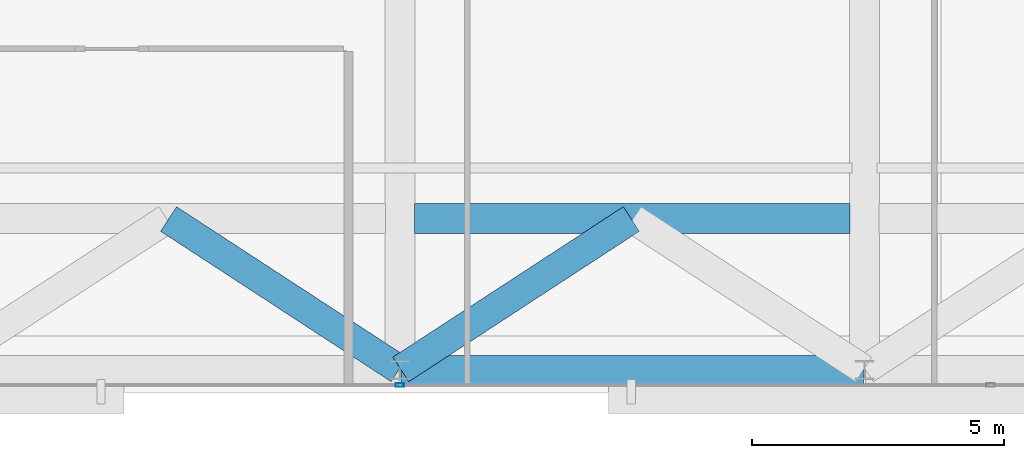
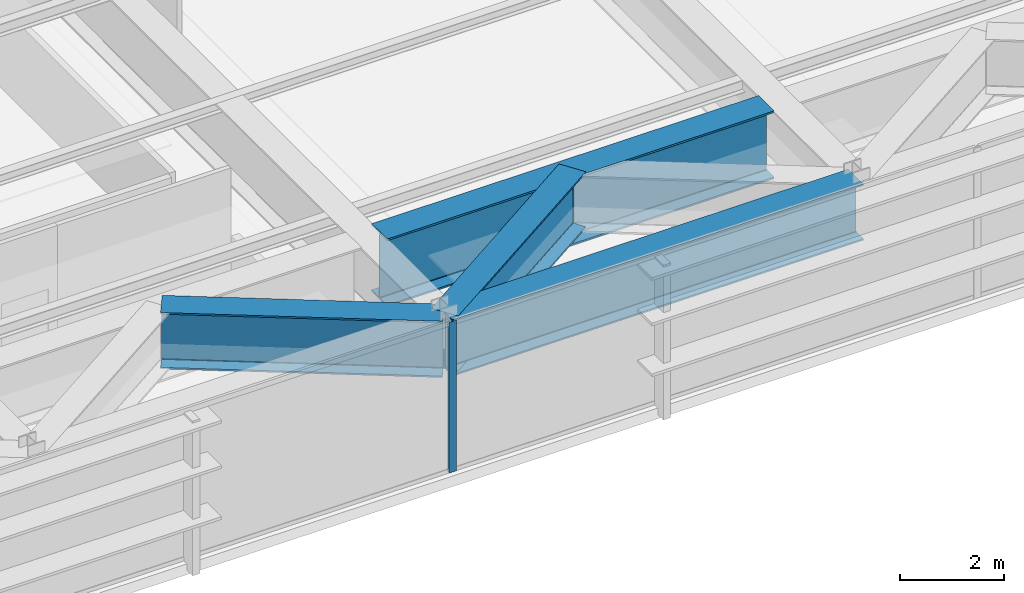
# One storey, part 9 of 26: 4 beams, 1 member, 1 element without a shape of its own.
"""IFC4 building model written with IfcOpenShell, lengths in metres."""

import ifcopenshell
import ifcopenshell.guid

model = None  # the IFC model being written
_history = None  # IfcOwnerHistory: only IFC2X3 demands one
_inside = {}  # id of a spatial element -> (the spatial element, [elements in it])
_under = {}  # id of a project, library or spatial element -> (it, [spatial elements below it])
_declared = {}  # id of a project -> (the project, [libraries it declares])
_typed = {}  # id of a type object -> (the type object, [elements of that type])
_made_of = {}  # id of a material, layer set ... -> (it, [elements and type objects made of it])


def new_model(schema):
    """Start an empty IFC model of exactly this schema.

    Asked for "IFC4X3", IfcOpenShell would pick the latest addendum, in which some entities
    have other attributes; the version numbers below select the first issue.
    IFC2X3 requires an IfcOwnerHistory on every rooted entity: one is made here for all.
    """
    global model, _history
    if schema == "IFC4X3":
        model = ifcopenshell.file(schema_version=(4, 3, 0, 0))
    else:
        model = ifcopenshell.file(schema=schema)
    _inside.clear()
    _under.clear()
    _declared.clear()
    _typed.clear()
    _made_of.clear()
    _history = None
    if model.schema == "IFC2X3":
        org = make("IfcOrganization", Name="unknown")
        user = make(
            "IfcPersonAndOrganization",
            ThePerson=make("IfcPerson", FamilyName="unknown"),
            TheOrganization=org,
        )
        app = make(
            "IfcApplication",
            ApplicationDeveloper=org,
            Version="unknown",
            ApplicationFullName="unknown",
            ApplicationIdentifier="unknown",
        )
        _history = make(
            "IfcOwnerHistory",
            OwningUser=user,
            OwningApplication=app,
            ChangeAction="ADDED",
            CreationDate=0,
        )
    return model


def make(cls, **values):
    """One entity of the class cls with the attributes given. An attribute that is None is left unset."""
    return model.create_entity(
        cls, **{name: value for name, value in values.items() if value is not None}
    )


def rooted(cls, **values):
    """An entity with a GlobalId (a new one), such as an element, a storey or a relation."""
    return make(cls, GlobalId=ifcopenshell.guid.new(), OwnerHistory=_history, **values)


def si_unit(unit_type, name, prefix=None):
    """IfcSIUnit, for example si_unit("LENGTHUNIT", "METRE", prefix="MILLI")."""
    return make("IfcSIUnit", UnitType=unit_type, Prefix=prefix, Name=name)


def assignment(units):
    """IfcUnitAssignment: the units of a project."""
    return None if units is None else make("IfcUnitAssignment", Units=units)


def point(xyz):
    """IfcCartesianPoint."""
    return None if xyz is None else make("IfcCartesianPoint", Coordinates=xyz)


def direction(xyz):
    """IfcDirection."""
    return None if xyz is None else make("IfcDirection", DirectionRatios=xyz)


def frame(location, z_axis=None, x_axis=None):
    """IfcAxis2Placement3D, a coordinate frame: its origin and axes. An axis left out is left unset."""
    return make(
        "IfcAxis2Placement3D",
        Location=point(location),
        Axis=direction(z_axis),
        RefDirection=direction(x_axis),
    )


def frame_2d(location, x_axis=None):
    """IfcAxis2Placement2D, a coordinate frame in the plane: its origin and x axis."""
    return make(
        "IfcAxis2Placement2D", Location=point(location), RefDirection=direction(x_axis)
    )


def origin():
    """The frame at (0, 0, 0) with its axes left unset."""
    return frame((0.0, 0.0, 0.0))


def origin_2d():
    """The frame at (0, 0) in the plane with its x axis left unset."""
    return frame_2d((0.0, 0.0))


def place(relative_to, where):
    """IfcLocalPlacement: puts the frame where relative to a parent placement (None: the world)."""
    return make(
        "IfcLocalPlacement", PlacementRelTo=relative_to, RelativePlacement=where
    )


def context(
    kind, dimensions, precision=None, world=None, true_north=None, identifier=None
):
    """IfcGeometricRepresentationContext, for example the 3D "Model" context."""
    return make(
        "IfcGeometricRepresentationContext",
        ContextIdentifier=identifier,
        ContextType=kind,
        CoordinateSpaceDimension=dimensions,
        Precision=precision,
        WorldCoordinateSystem=world,
        TrueNorth=true_north,
    )


def subcontext(parent, identifier, kind, view, scale=None):
    """IfcGeometricRepresentationSubContext, for example "Body" below "Model"."""
    return make(
        "IfcGeometricRepresentationSubContext",
        ContextIdentifier=identifier,
        ContextType=kind,
        ParentContext=parent,
        TargetScale=scale,
        TargetView=view,
    )


def project(units=None, contexts=None):
    """IfcProject with its units and contexts."""
    return rooted(
        "IfcProject",
        Name="project",
        RepresentationContexts=contexts,
        UnitsInContext=assignment(units),
    )


def spatial(cls, under=None, at=None, **own):
    """A site, building, storey or space (cls), placed at a placement, below another one or the project."""
    s = rooted(cls, ObjectPlacement=at, **own)
    if under is not None:
        _under.setdefault(under.id(), (under, []))[1].append(s)
    return s


def profile(cls, at=None, kind="AREA", **sizes):
    """A parametric profile (cls). Its sizes go by their IFC names, for example OverallWidth=200.0."""
    return make(cls, ProfileType=kind, Position=at, **sizes)


def hollow_rectangle(**sizes):
    """IfcRectangleHollowProfileDef."""
    return profile("IfcRectangleHollowProfileDef", **sizes)


def i_section(**sizes):
    """IfcIShapeProfileDef."""
    return profile("IfcIShapeProfileDef", **sizes)


def extrude(swept, where, along, depth):
    """IfcExtrudedAreaSolid: the profile swept, set in the frame where, extruded along a direction by depth."""
    return make(
        "IfcExtrudedAreaSolid",
        SweptArea=swept,
        Position=where,
        ExtrudedDirection=direction(along),
        Depth=depth,
    )


def shape(context_of_items, identifier, shape_type, items):
    """IfcShapeRepresentation: the items that make up one representation, for example the "Body"."""
    return make(
        "IfcShapeRepresentation",
        ContextOfItems=context_of_items,
        RepresentationIdentifier=identifier,
        RepresentationType=shape_type,
        Items=items,
    )


def source(mapping_origin, context_of_items, identifier, shape_type, items):
    """IfcRepresentationMap: a shape defined once, which mapped items show again and again."""
    return make(
        "IfcRepresentationMap",
        MappingOrigin=mapping_origin,
        MappedRepresentation=shape(context_of_items, identifier, shape_type, items),
    )


def transform(
    local_origin,
    x_axis=None,
    y_axis=None,
    z_axis=None,
    scale=None,
    scale2=None,
    scale3=None,
    uniform=True,
):
    """IfcCartesianTransformationOperator3D, or its non-uniform kind. x_axis, y_axis, z_axis: its Axis1, 2, 3."""
    if uniform:
        return make(
            "IfcCartesianTransformationOperator3D",
            Axis1=direction(x_axis),
            Axis2=direction(y_axis),
            LocalOrigin=point(local_origin),
            Scale=scale,
            Axis3=direction(z_axis),
        )
    return make(
        "IfcCartesianTransformationOperator3DnonUniform",
        Axis1=direction(x_axis),
        Axis2=direction(y_axis),
        LocalOrigin=point(local_origin),
        Scale=scale,
        Axis3=direction(z_axis),
        Scale2=scale2,
        Scale3=scale3,
    )


def mapped(mapping_source, mapping_target):
    """IfcMappedItem: shows the shape of a source again, moved by a transform."""
    return make(
        "IfcMappedItem", MappingSource=mapping_source, MappingTarget=mapping_target
    )


def material(Name=None, Category=None):
    """IfcMaterial."""
    return make("IfcMaterial", Name=Name, Category=Category)


def layer(
    of_material, thickness, ventilated=None, Name=None, Category=None, Priority=None
):
    """IfcMaterialLayer: one layer of a wall or slab, of a material (None: an air gap)."""
    return make(
        "IfcMaterialLayer",
        Material=of_material,
        LayerThickness=thickness,
        IsVentilated=ventilated,
        Name=Name,
        Category=Category,
        Priority=Priority,
    )


def layer_set(layers, Name=None):
    """IfcMaterialLayerSet."""
    return make("IfcMaterialLayerSet", MaterialLayers=layers, LayerSetName=Name)


def material_profile(
    of_material, cross_section, Name=None, Category=None, Priority=None
):
    """IfcMaterialProfile: a cross section and its material."""
    return make(
        "IfcMaterialProfile",
        Name=Name,
        Material=of_material,
        Profile=cross_section,
        Priority=Priority,
        Category=Category,
    )


def profile_set(profiles, Name=None, composite=None):
    """IfcMaterialProfileSet."""
    return make(
        "IfcMaterialProfileSet",
        Name=Name,
        MaterialProfiles=profiles,
        CompositeProfile=composite,
    )


def made_of(thing, what):
    """Note that an element or type object is made of a material, layer set ...; save() writes the relation."""
    if what is not None:
        _made_of.setdefault(what.id(), (what, []))[1].append(thing)
    return thing


def type_object(cls, material=None, **own):
    """A type object (cls), such as IfcWallType, which elements share."""
    return made_of(rooted(cls, **own), material)


def type_shapes(of_type, sources):
    """Give a type object the sources (RepresentationMaps) that its elements show as mapped items."""
    of_type.RepresentationMaps = sources


def element(
    cls,
    number,
    at=None,
    inside=None,
    cuts=None,
    type_object=None,
    material=None,
    context=None,
    identifier="Body",
    shape_type=None,
    held_by="IfcProductDefinitionShape",
    body=None,
    shapes=None,
    **own,
):
    """One element of the class cls, such as IfcWall. Its Tag is "e" and its number.

    at: its placement. inside: the storey or other place that contains it. cuts: it is an
    opening in that element (IfcRelVoidsElement). A single representation is given by context,
    identifier, shape_type and body (its items); several are given by shapes. held_by: the class
    of the entity that holds the representations. save() writes the other relations.
    """
    e = rooted(cls, Tag="e%d" % number, ObjectPlacement=at, **own)
    if body is not None:
        shapes = [shape(context, identifier, shape_type, body)]
    if shapes is not None:
        e.Representation = make(held_by, Representations=shapes)
    if inside is not None:
        _inside.setdefault(inside.id(), (inside, []))[1].append(e)
    if cuts is not None:
        rooted(
            "IfcRelVoidsElement", RelatingBuildingElement=cuts, RelatedOpeningElement=e
        )
    if type_object is not None:
        _typed.setdefault(type_object.id(), (type_object, []))[1].append(e)
    return made_of(e, material)


def aggregate(whole, parts):
    """IfcRelAggregates: a whole, such as a stair, and the parts it consists of."""
    return rooted("IfcRelAggregates", RelatingObject=whole, RelatedObjects=parts)


def save(model, path):
    """Write the relations noted so far, then the file.

    IfcRelAggregates (storeys below a building ...), IfcRelContainedInSpatialStructure (elements
    in a storey), IfcRelDefinesByType, IfcRelAssociatesMaterial and IfcRelDeclares: one each for
    every whole, place, type object, material and project.
    """
    for whole, parts in _under.values():
        aggregate(whole, parts)
    for where, things in _inside.values():
        rooted(
            "IfcRelContainedInSpatialStructure",
            RelatedElements=things,
            RelatingStructure=where,
        )
    for kind, things in _typed.values():
        rooted("IfcRelDefinesByType", RelatedObjects=things, RelatingType=kind)
    for what, things in _made_of.values():
        rooted("IfcRelAssociatesMaterial", RelatedObjects=things, RelatingMaterial=what)
    for by, libraries in _declared.values():
        rooted("IfcRelDeclares", RelatingContext=by, RelatedDefinitions=libraries)
    model.write(path)


model = new_model("IFC4")

# Units and contexts
model_context = context("Model", 3, precision=1e-05, world=origin(), true_north=direction((0.0, 1.0)))
body_context = subcontext(model_context, "Body", "Model", "MODEL_VIEW")
ifc_project = project(units=[si_unit("LENGTHUNIT", "METRE"), si_unit("AREAUNIT", "SQUARE_METRE"), si_unit("VOLUMEUNIT", "CUBIC_METRE"), si_unit("PLANEANGLEUNIT", "RADIAN"), si_unit("MASSUNIT", "GRAM", prefix="KILO")], contexts=[model_context])

# Site, building, storey
site_placement = place(None, origin())
site = spatial("IfcSite", under=ifc_project, at=site_placement, CompositionType="ELEMENT")
building_placement = place(site_placement, origin())
building = spatial("IfcBuilding", under=site, at=building_placement, Name="Varnel Quay Broadcast Tower", CompositionType="ELEMENT")
storey_placement = place(building_placement, frame((0.0, 0.0, 196.0)))
storey = spatial("IfcBuildingStorey", under=building, at=storey_placement, Name="L48", CompositionType="ELEMENT", Elevation=196.0)

# Beams
ifc_material_1 = material(Name="Structural Steel CSA G40.21 350WT", Category="steel")
ifc_material_profile_1 = material_profile(ifc_material_1, i_section(OverallWidth=0.580078125, OverallDepth=1.330078125, WebThickness=0.02197265625, FlangeThickness=0.0380859375, FilletRadius=0.02001953125, at=origin_2d()), Name="WWF1330X535")
ifc_profile_set_1 = profile_set([ifc_material_profile_1], Name="Structural Steel CSA G40.21 350WT")
beam_type_1 = type_object("IfcBeamType", Name="Girder_WWF1330X535", PredefinedType="BEAM", material=ifc_profile_set_1)
shared_shape_1 = source(origin(), body_context, "Body", "SweptSolid", [
    extrude(i_section(OverallWidth=0.580078125, OverallDepth=1.330078125, WebThickness=0.02197265625, FlangeThickness=0.0380859375, FilletRadius=0.02001953125, at=origin_2d()), origin(), (0.0, 0.0, 1.0), 9.159912109375),
])
beam_1_placement = place(storey_placement, frame((34.02001953125, 7.64990234375, 2.885009765625), z_axis=(1.0, 0.0, 0.0), x_axis=(0.0, 1.0, 0.0)))
element("IfcBeam", 1, at=beam_1_placement, inside=storey, type_object=beam_type_1, Name="L48 Perimeter Transfer Spine TC-S3-TC-S4", PredefinedType="BEAM", context=body_context, shape_type="MappedRepresentation", body=[
    mapped(shared_shape_1, transform((0.0, 0.0, 0.0), x_axis=(1.0, 0.0, 0.0), y_axis=(0.0, 1.0, 0.0), z_axis=(0.0, 0.0, 1.0), scale=1.0)),
])
ifc_material_profile_2 = material_profile(ifc_material_1, i_section(OverallWidth=0.60009765625, OverallDepth=1.60009765625, WebThickness=0.02392578125, FlangeThickness=0.0419921875, FilletRadius=0.02197265625, at=origin_2d()), Name="WWF1600X620")
ifc_profile_set_2 = profile_set([ifc_material_profile_2], Name="Structural Steel CSA G40.21 350WT")
beam_type_2 = type_object("IfcBeamType", Name="Girder_WWF1600X620", PredefinedType="BEAM", material=ifc_profile_set_2)
shared_shape_2 = source(origin(), body_context, "Body", "SweptSolid", [
    extrude(i_section(OverallWidth=0.60009765625, OverallDepth=1.60009765625, WebThickness=0.02392578125, FlangeThickness=0.0419921875, FilletRadius=0.02197265625, at=origin_2d()), origin(), (0.0, 0.0, 1.0), 8.630126953125),
])
type_shapes(beam_type_2, [shared_shape_2])
beam_2_placement = place(storey_placement, frame((34.284912109375, 10.64990234375, 2.75), z_axis=(1.0, 0.0, 0.0), x_axis=(0.0, 1.0, 0.0)))
element("IfcBeam", 2, at=beam_2_placement, inside=storey, type_object=beam_type_2, Name="L48 Setback South Transfer Header 4", PredefinedType="BEAM", context=body_context, shape_type="MappedRepresentation", body=[
    mapped(shared_shape_2, transform((0.0, 0.0, 0.0), x_axis=(1.0, 0.0, 0.0), y_axis=(0.0, 1.0, 0.0), z_axis=(0.0, 0.0, 1.0), scale=1.0)),
])
shared_shape_3 = source(origin(), body_context, "Body", "SweptSolid", [
    extrude(i_section(OverallWidth=0.580078125, OverallDepth=1.330078125, WebThickness=0.02197265625, FlangeThickness=0.0380859375, FilletRadius=0.02001953125, at=origin_2d()), origin(), (0.0, 0.0, 1.0), 5.451904296875),
])
type_shapes(beam_type_1, [shared_shape_1, shared_shape_3])
for number, where, z_axis, x_axis, name in (
    (3, (33.983154296875, 7.660888671875, 2.885009765625), (-0.837595451539, 0.546291002637, 0.0), (-0.546291002637, -0.837595451539, 0.0), "L48 Nodal Transfer Tie TC-S2-TC-S3"),
    (4, (34.016845703125, 7.660888671875, 2.885009765625), (0.837595451539, 0.546291002637, 0.0), (-0.546291002637, 0.837595451539, 0.0), "L48 Nodal Transfer Tie TC-S3-TC-S3"),
):
    element("IfcBeam", number, at=place(storey_placement, frame(where, z_axis=z_axis, x_axis=x_axis)), inside=storey, type_object=beam_type_1, Name=name, PredefinedType="BEAM", context=body_context, shape_type="MappedRepresentation", body=[
        mapped(shared_shape_3, transform((0.0, 0.0, 0.0), x_axis=(1.0, 0.0, 0.0), y_axis=(0.0, 1.0, 0.0), z_axis=(0.0, 0.0, 1.0), scale=1.0)),
    ])

# Curtain wall, member
ifc_material_2 = material(Name="Anodised Bronze Aluminium 6063-T6", Category="aluminium")
ifc_layer = layer(ifc_material_2, 0.18994140625, Name="Anodised Bronze Aluminium 6063-T6")
ifc_layer_set = layer_set([ifc_layer], Name="Anodised Bronze Aluminium 6063-T6")
curtain_wall_type = type_object("IfcCurtainWallType", Name="CW_UpperTower", PredefinedType="NOTDEFINED", material=ifc_layer_set)
curtain_wall_placement = place(storey_placement, origin())
curtain_wall = element("IfcCurtainWall", 5, at=curtain_wall_placement, inside=storey, type_object=curtain_wall_type, Name="L48 South Unitised Curtain Wall 1", PredefinedType="NOTDEFINED")
ifc_material_profile_3 = material_profile(ifc_material_2, hollow_rectangle(XDim=0.06494140625, YDim=0.1650390625, WallThickness=0.00341796875, at=origin_2d()), Name="ALU65X165X3.5")
ifc_profile_set_3 = profile_set([ifc_material_profile_3], Name="Anodised Bronze Aluminium 6063-T6")
member_type = type_object("IfcMemberType", Name="Mull_CWS-03", PredefinedType="MULLION", material=ifc_profile_set_3)
shared_shape_4 = source(origin(), body_context, "Body", "SweptSolid", [
    extrude(hollow_rectangle(XDim=0.06494140625, YDim=0.1650390625, WallThickness=0.00341796875, at=origin_2d()), origin(), (0.0, 0.0, 1.0), 3.550048828125),
])
type_shapes(member_type, [shared_shape_4])
member_placement = place(storey_placement, frame((34.0, 7.35009765625, 0.0), z_axis=(0.0, 0.0, 1.0), x_axis=(0.0, 1.0, 0.0)))
member = element("IfcMember", 6, at=member_placement, type_object=member_type, Name="CWS-03 mullion 3", PredefinedType="MULLION", context=body_context, shape_type="MappedRepresentation", body=[
    mapped(shared_shape_4, transform((0.0, 0.0, 0.0), x_axis=(1.0, 0.0, 0.0), y_axis=(0.0, 1.0, 0.0), z_axis=(0.0, 0.0, 1.0), scale=1.0)),
])
aggregate(curtain_wall, [member])

save(model, "model.ifc")
